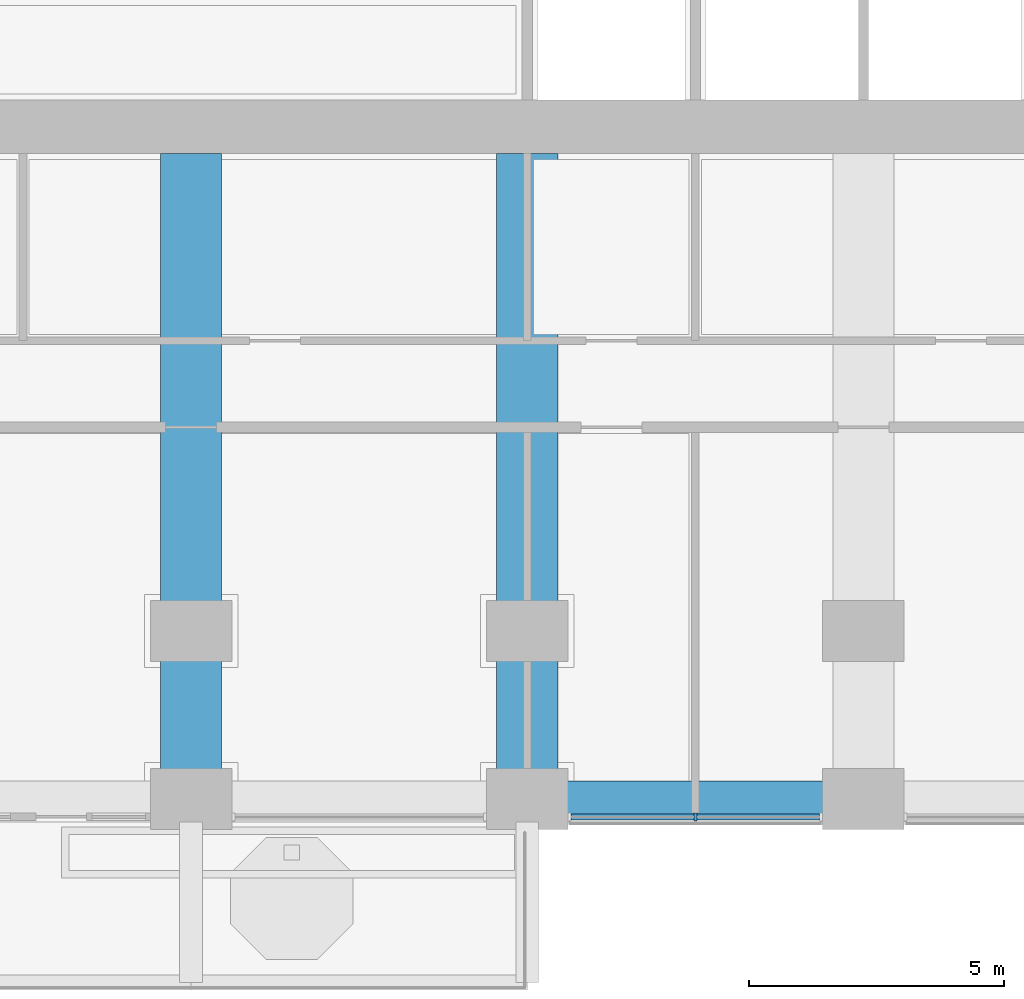
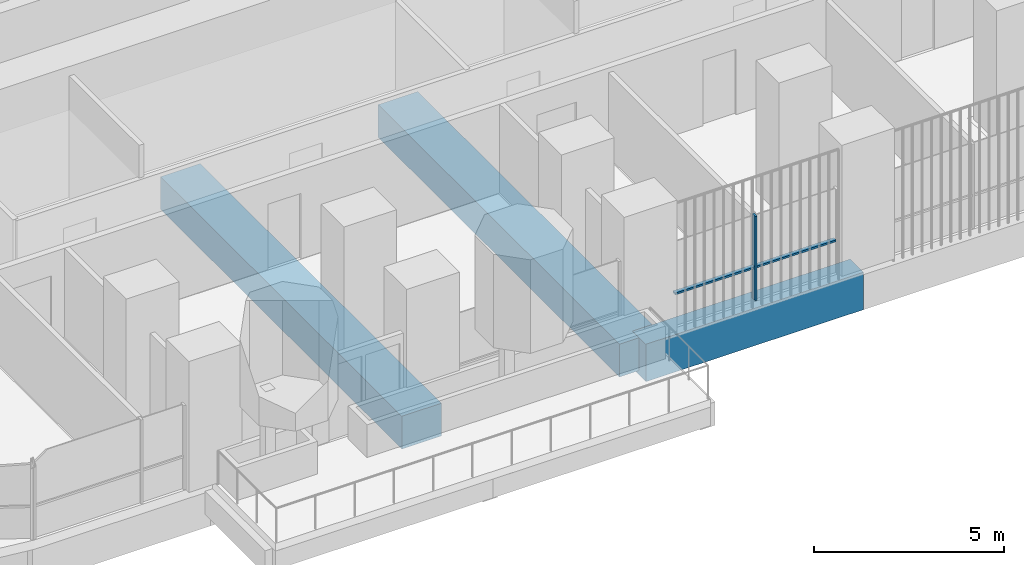
# One storey, part 3 of 21: 3 beams, 3 members, 1 element without a shape of its own.
"""IFC4 building model written with IfcOpenShell, lengths in metres."""

from ifc_helpers import new_model, si_unit, direction, frame, origin, origin_2d, place, context, subcontext, project, spatial, rectangle, extrude, material, material_profile, profile_set, type_object, element, aggregate, save


model = new_model("IFC4")

# Units and contexts
model_context = context("Model", 3, precision=1e-05, world=origin(), true_north=direction((0.0, 1.0)))
body_context = subcontext(model_context, "Body", "Model", "MODEL_VIEW")
ifc_project = project(units=[si_unit("LENGTHUNIT", "METRE"), si_unit("AREAUNIT", "SQUARE_METRE"), si_unit("VOLUMEUNIT", "CUBIC_METRE"), si_unit("PLANEANGLEUNIT", "RADIAN"), si_unit("MASSUNIT", "GRAM", prefix="KILO")], contexts=[model_context])

# Site, building, storey
site_placement = place(None, origin())
site = spatial("IfcSite", under=ifc_project, at=site_placement, CompositionType="ELEMENT")
building_placement = place(site_placement, origin())
building = spatial("IfcBuilding", under=site, at=building_placement, Name="Cobogo Forest Laboratory Tower", CompositionType="ELEMENT")
storey_placement = place(building_placement, frame((0.0, 0.0, 107.39990234375)))
storey = spatial("IfcBuildingStorey", under=building, at=storey_placement, Name="L24", CompositionType="ELEMENT", Elevation=107.39990234375)

# Beams
ifc_material_1 = material(Name="Concrete HA-40 (C40/50)", Category="concrete")
ifc_material_profile_1 = material_profile(ifc_material_1, rectangle(XDim=1.199951171875, YDim=1.050048828125, at=origin_2d()), Name="RC 1200x1050")
ifc_profile_set_1 = profile_set([ifc_material_profile_1], Name="Concrete HA-40 (C40/50)")
beam_type_1 = type_object("IfcBeamType", Name="Laboratory floor wide beam 1200x1050", PredefinedType="BEAM", material=ifc_profile_set_1)
for number, where, z_axis, x_axis, name in (
    (1, (19.800048828125, 12.675048828125, -0.824951171875), (0.0, -1.0, 0.0), (1.0, 0.0, 0.0), "RB1 R-4-S L24"),
    (2, (26.39990234375, 12.675048828125, -0.824951171875), (0.0, -1.0, 0.0), (1.0, 0.0, 0.0), "RB1 R-5-S L24"),
):
    element("IfcBeam", number, at=place(storey_placement, frame(where, z_axis=z_axis, x_axis=x_axis)), inside=storey, type_object=beam_type_1, Name=name, PredefinedType="BEAM", context=body_context, shape_type="SweptSolid", body=[
        extrude(rectangle(XDim=1.199951171875, YDim=1.050048828125, at=origin_2d()), origin(), (0.0, 0.0, 1.0), 12.675048828125),
    ])

# Curtain wall, member
ifc_material_2 = material(Name="Aluminium curtain wall", Category="aluminium")
curtain_wall_type = type_object("IfcCurtainWallType", Name="CW-1 unitised curtain wall, clear glazing, laboratory floors zones A and B", PredefinedType="USERDEFINED", material=ifc_material_2)
curtain_wall_placement = place(storey_placement, origin())
curtain_wall = element("IfcCurtainWall", 3, at=curtain_wall_placement, inside=storey, type_object=curtain_wall_type, Name="Curtain wall 04 L24", ObjectType="UNITISED CURTAIN WALL", PredefinedType="USERDEFINED")
ifc_material_3 = material(Name="Aluminium mullion", Category="aluminium")
ifc_material_profile_2 = material_profile(ifc_material_3, rectangle(XDim=0.06005859375, YDim=0.159912109375, at=origin_2d()), Name="AL 60x160")
ifc_profile_set_2 = profile_set([ifc_material_profile_2], Name="Aluminium mullion")
member_type_1 = type_object("IfcMemberType", Name="MU-1 aluminium mullion 60x160", PredefinedType="MULLION", material=ifc_profile_set_2)
member_1_placement = place(storey_placement, frame((29.699951171875, -0.35009765625, 0.0), z_axis=(0.0, 0.0, 1.0), x_axis=(1.0, 0.0, 0.0)))
member_1 = element("IfcMember", 4, at=member_1_placement, type_object=member_type_1, Name="CW-1 mullion 2", PredefinedType="MULLION", context=body_context, shape_type="SweptSolid", body=[
    extrude(rectangle(XDim=0.06005859375, YDim=0.159912109375, at=origin_2d()), origin(), (0.0, 0.0, 1.0), 2.7001953125),
])

# Beam
ifc_material_profile_3 = material_profile(ifc_material_1, rectangle(XDim=0.699951171875, YDim=1.199951171875, at=origin_2d()), Name="RC 700x1200")
ifc_profile_set_3 = profile_set([ifc_material_profile_3], Name="Concrete HA-40 (C40/50)")
beam_type_2 = type_object("IfcBeamType", Name="Perimeter edge beam 700x1200", PredefinedType="BEAM", material=ifc_profile_set_3)
beam_placement = place(storey_placement, frame((26.39990234375, 0.0, -0.89990234375), z_axis=(1.0, 0.0, 0.0), x_axis=(0.0, 1.0, 0.0)))
element("IfcBeam", 5, at=beam_placement, inside=storey, type_object=beam_type_2, Name="EB1 E-S3 L24", PredefinedType="BEAM", context=body_context, shape_type="SweptSolid", body=[
    extrude(rectangle(XDim=0.699951171875, YDim=1.199951171875, at=origin_2d()), origin(), (0.0, 0.0, 1.0), 6.60009765625),
])

# Member
ifc_material_4 = material(Name="Aluminium transom", Category="aluminium")
ifc_material_profile_4 = material_profile(ifc_material_4, rectangle(XDim=0.1201171875, YDim=0.06005859375, at=origin_2d()), Name="AL 60x120")
ifc_profile_set_4 = profile_set([ifc_material_profile_4], Name="Aluminium transom")
member_type_2 = type_object("IfcMemberType", Name="TR-1 aluminium transom 60x120", PredefinedType="USERDEFINED", material=ifc_profile_set_4)
member_2_placement = place(storey_placement, frame((27.260009765625, -0.35009765625, 1.050048828125), z_axis=(1.0, 0.0, 0.0), x_axis=(0.0, 1.0, 0.0)))
member_2 = element("IfcMember", 6, at=member_2_placement, type_object=member_type_2, Name="CW-1 transom 1.1", ObjectType="TRANSOM", PredefinedType="USERDEFINED", context=body_context, shape_type="SweptSolid", body=[
    extrude(rectangle(XDim=0.1201171875, YDim=0.06005859375, at=origin_2d()), origin(), (0.0, 0.0, 1.0), 2.409912109375),
])

member_3_placement = place(storey_placement, frame((29.72998046875, -0.35009765625, 1.050048828125), z_axis=(1.0, 0.0, 0.0), x_axis=(0.0, 1.0, 0.0)))
member_3 = element("IfcMember", 7, at=member_3_placement, type_object=member_type_2, Name="CW-1 transom 2.1", ObjectType="TRANSOM", PredefinedType="USERDEFINED", context=body_context, shape_type="SweptSolid", body=[
    extrude(rectangle(XDim=0.1201171875, YDim=0.06005859375, at=origin_2d()), origin(), (0.0, 0.0, 1.0), 2.409912109375),
])

aggregate(curtain_wall, [member_1, member_2, member_3])

save(model, "model.ifc")
